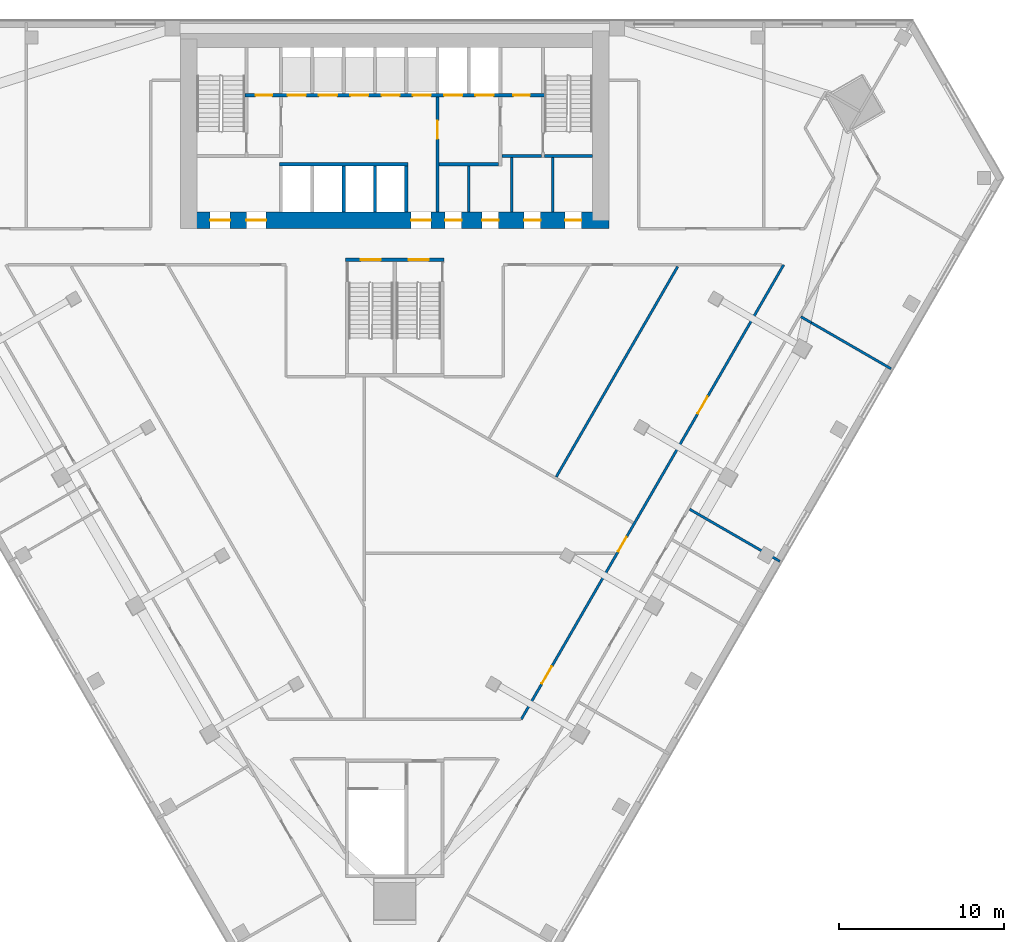
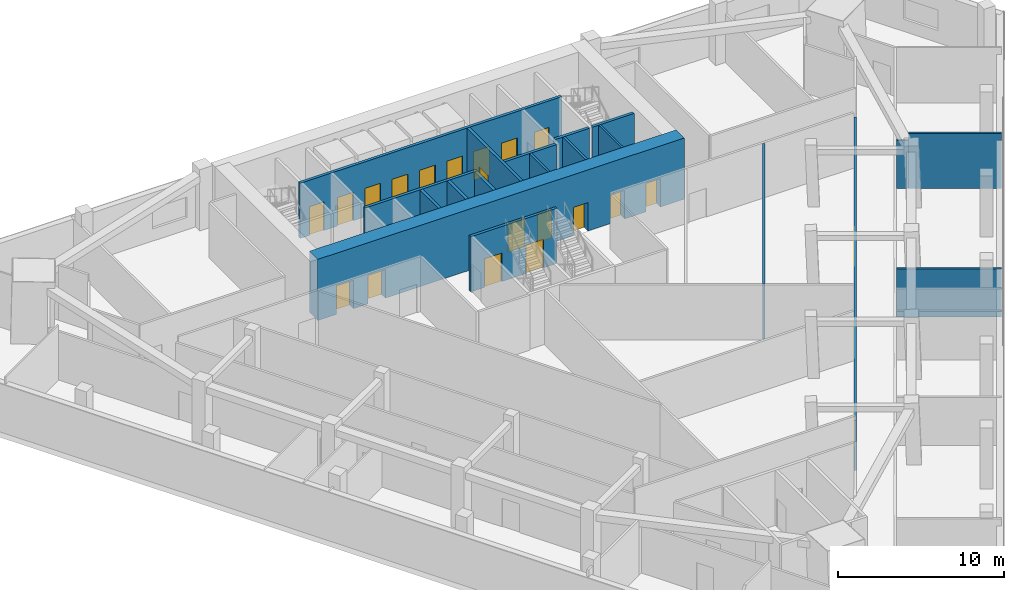
# One storey, part 5 of 9: 22 doors, 19 walls, 22 openings.
"""IFC4 building model written with IfcOpenShell, lengths in metres."""

from ifc_helpers import new_model, si_unit, direction, frame, frame_2d, origin, place, context, subcontext, project, spatial, rectangle, extrude, material, layer, layer_set, type_object, element, fill, save


model = new_model("IFC4")

# Units and contexts
model_context = context("Model", 3, precision=1e-05, world=origin(), true_north=direction((0.0, 1.0)))
body_context = subcontext(model_context, "Body", "Model", "MODEL_VIEW")
ifc_project = project(units=[si_unit("LENGTHUNIT", "METRE"), si_unit("AREAUNIT", "SQUARE_METRE"), si_unit("VOLUMEUNIT", "CUBIC_METRE"), si_unit("PLANEANGLEUNIT", "RADIAN"), si_unit("MASSUNIT", "GRAM", prefix="KILO")], contexts=[model_context])

# Site, building, storey
site_placement = place(None, origin())
site = spatial("IfcSite", under=ifc_project, at=site_placement, CompositionType="ELEMENT")
building_placement = place(site_placement, origin())
building = spatial("IfcBuilding", under=site, at=building_placement, Name="Altiplano Prism Tower", CompositionType="ELEMENT")
storey_placement = place(building_placement, frame((0.0, 0.0, 18.0)))
storey = spatial("IfcBuildingStorey", under=building, at=storey_placement, Name="L03", CompositionType="ELEMENT", Elevation=18.0)

# Wall, openings, doors
ifc_material_1 = material(Name="Concrete C70/85", Category="concrete")
ifc_layer_1 = layer(ifc_material_1, 1.0)
ifc_layer_set_1 = layer_set([ifc_layer_1], Name="Concrete C70/85")
wall_type_1 = type_object("IfcWallType", Name="Core wall 1000", PredefinedType="SHEAR", material=ifc_layer_set_1)
wall_1_placement = place(storey_placement, frame((72.5, 92.89990234375, 0.0), z_axis=(0.0, 0.0, 1.0), x_axis=(1.0, 0.0, 0.0)))
wall_1 = element("IfcWall", 1, at=wall_1_placement, inside=storey, type_object=wall_type_1, Name="Core wall S L03", PredefinedType="SHEAR", context=body_context, shape_type="SweptSolid", body=[
    extrude(rectangle(XDim=25.5, YDim=1.0, at=frame_2d((12.75, 0.0))), origin(), (0.0, 0.0, 1.0), 4.5),
])
opening_1_placement = place(wall_1_placement, frame((1.300048828125, 0.0, 0.0)))
opening_1 = element("IfcOpeningElement", 2, at=opening_1_placement, cuts=wall_1, Name="Opening D2631", PredefinedType="OPENING", context=body_context, shape_type="SweptSolid", body=[
    extrude(rectangle(XDim=1.199951171875, YDim=2.10009765625, at=frame_2d((0.60009765625, 1.050048828125))), frame((0.0, 0.510498046875, 0.0), z_axis=(0.0, -1.0, 0.0), x_axis=(1.0, 0.0, 0.0)), (0.0, 0.0, 1.0), 1.02099609375),
])
opening_2_placement = place(wall_1_placement, frame((3.5, 0.0, 0.0)))
opening_2 = element("IfcOpeningElement", 3, at=opening_2_placement, cuts=wall_1, Name="Opening D2632", PredefinedType="OPENING", context=body_context, shape_type="SweptSolid", body=[
    extrude(rectangle(XDim=1.199951171875, YDim=2.10009765625, at=frame_2d((0.60009765625, 1.050048828125))), frame((0.0, 0.510498046875, 0.0), z_axis=(0.0, -1.0, 0.0), x_axis=(1.0, 0.0, 0.0)), (0.0, 0.0, 1.0), 1.02099609375),
])
opening_3_placement = place(wall_1_placement, frame((13.5, 0.0, 0.0)))
opening_3 = element("IfcOpeningElement", 4, at=opening_3_placement, cuts=wall_1, Name="Opening D2633", PredefinedType="OPENING", context=body_context, shape_type="SweptSolid", body=[
    extrude(rectangle(XDim=1.199951171875, YDim=2.10009765625, at=frame_2d((0.60009765625, 1.050048828125))), frame((0.0, 0.510498046875, 0.0), z_axis=(0.0, -1.0, 0.0), x_axis=(1.0, 0.0, 0.0)), (0.0, 0.0, 1.0), 1.02099609375),
])
opening_4_placement = place(wall_1_placement, frame((15.5625, 0.0, 0.0)))
opening_4 = element("IfcOpeningElement", 5, at=opening_4_placement, cuts=wall_1, Name="Opening D2636", PredefinedType="OPENING", context=body_context, shape_type="SweptSolid", body=[
    extrude(rectangle(XDim=1.0, YDim=2.10009765625, at=frame_2d((0.5, 1.050048828125))), frame((0.0, 0.510498046875, 0.0), z_axis=(0.0, -1.0, 0.0), x_axis=(1.0, 0.0, 0.0)), (0.0, 0.0, 1.0), 1.02099609375),
])
opening_5_placement = place(wall_1_placement, frame((17.800048828125, 0.0, 0.0)))
opening_5 = element("IfcOpeningElement", 6, at=opening_5_placement, cuts=wall_1, Name="Opening D2637", PredefinedType="OPENING", context=body_context, shape_type="SweptSolid", body=[
    extrude(rectangle(XDim=1.0, YDim=2.10009765625, at=frame_2d((0.5, 1.050048828125))), frame((0.0, 0.510498046875, 0.0), z_axis=(0.0, -1.0, 0.0), x_axis=(1.0, 0.0, 0.0)), (0.0, 0.0, 1.0), 1.02099609375),
])
opening_6_placement = place(wall_1_placement, frame((20.35009765625, 0.0, 0.0)))
opening_6 = element("IfcOpeningElement", 7, at=opening_6_placement, cuts=wall_1, Name="Opening D2638", PredefinedType="OPENING", context=body_context, shape_type="SweptSolid", body=[
    extrude(rectangle(XDim=1.0, YDim=2.10009765625, at=frame_2d((0.5, 1.050048828125))), frame((0.0, 0.510498046875, 0.0), z_axis=(0.0, -1.0, 0.0), x_axis=(1.0, 0.0, 0.0)), (0.0, 0.0, 1.0), 1.02099609375),
])
opening_7_placement = place(wall_1_placement, frame((22.83740234375, 0.0, 0.0)))
opening_7 = element("IfcOpeningElement", 8, at=opening_7_placement, cuts=wall_1, Name="Opening D2639", PredefinedType="OPENING", context=body_context, shape_type="SweptSolid", body=[
    extrude(rectangle(XDim=1.0, YDim=2.10009765625, at=frame_2d((0.5, 1.050048828125))), frame((0.0, 0.510498046875, 0.0), z_axis=(0.0, -1.0, 0.0), x_axis=(1.0, 0.0, 0.0)), (0.0, 0.0, 1.0), 1.02099609375),
])
ifc_material_2 = material(Name="Fire-rated steel door", Category="steel")
door_type_1 = type_object("IfcDoorType", Name="Core room door 1000 x 2100", OperationType="NOTDEFINED", PredefinedType="NOTDEFINED", material=ifc_material_2)
door_1_placement = place(opening_4_placement, origin())
door_1 = element("IfcDoor", 9, at=door_1_placement, inside=storey, type_object=door_type_1, Name="Core room door D2636", OperationType="SINGLE_SWING_RIGHT", OverallHeight=2.10009765625, OverallWidth=1.0, PredefinedType="NOTDEFINED", context=body_context, shape_type="SweptSolid", body=[
    extrude(rectangle(XDim=1.0, YDim=2.10009765625, at=frame_2d((0.5, 1.050048828125))), frame((0.0, 0.02490234375, 0.0), z_axis=(0.0, -1.0, 0.0), x_axis=(1.0, 0.0, 0.0)), (0.0, 0.0, 1.0), 0.050048828125),
])
fill(opening_4, door_1)
door_2_placement = place(opening_5_placement, origin())
door_2 = element("IfcDoor", 10, at=door_2_placement, inside=storey, type_object=door_type_1, Name="Core room door D2637", OperationType="SINGLE_SWING_LEFT", OverallHeight=2.10009765625, OverallWidth=1.0, PredefinedType="NOTDEFINED", context=body_context, shape_type="SweptSolid", body=[
    extrude(rectangle(XDim=1.0, YDim=2.10009765625, at=frame_2d((0.5, 1.050048828125))), frame((0.0, 0.02490234375, 0.0), z_axis=(0.0, -1.0, 0.0), x_axis=(1.0, 0.0, 0.0)), (0.0, 0.0, 1.0), 0.050048828125),
])
fill(opening_5, door_2)
door_3_placement = place(opening_6_placement, origin())
door_3 = element("IfcDoor", 11, at=door_3_placement, inside=storey, type_object=door_type_1, Name="Core room door D2638", OperationType="SINGLE_SWING_RIGHT", OverallHeight=2.10009765625, OverallWidth=1.0, PredefinedType="NOTDEFINED", context=body_context, shape_type="SweptSolid", body=[
    extrude(rectangle(XDim=1.0, YDim=2.10009765625, at=frame_2d((0.5, 1.050048828125))), frame((0.0, 0.02490234375, 0.0), z_axis=(0.0, -1.0, 0.0), x_axis=(1.0, 0.0, 0.0)), (0.0, 0.0, 1.0), 0.050048828125),
])
fill(opening_6, door_3)
door_4_placement = place(opening_7_placement, origin())
door_4 = element("IfcDoor", 12, at=door_4_placement, inside=storey, type_object=door_type_1, Name="Core room door D2639", OperationType="SINGLE_SWING_LEFT", OverallHeight=2.10009765625, OverallWidth=1.0, PredefinedType="NOTDEFINED", context=body_context, shape_type="SweptSolid", body=[
    extrude(rectangle(XDim=1.0, YDim=2.10009765625, at=frame_2d((0.5, 1.050048828125))), frame((0.0, 0.02490234375, 0.0), z_axis=(0.0, -1.0, 0.0), x_axis=(1.0, 0.0, 0.0)), (0.0, 0.0, 1.0), 0.050048828125),
])
fill(opening_7, door_4)
door_type_2 = type_object("IfcDoorType", Name="Lobby fire door 1200 x 2100", OperationType="NOTDEFINED", PredefinedType="NOTDEFINED", material=ifc_material_2)
door_5_placement = place(opening_1_placement, origin())
door_5 = element("IfcDoor", 13, at=door_5_placement, inside=storey, type_object=door_type_2, Name="Lobby fire door D2631", OperationType="SINGLE_SWING_RIGHT", OverallHeight=2.10009765625, OverallWidth=1.199951171875, PredefinedType="NOTDEFINED", context=body_context, shape_type="SweptSolid", body=[
    extrude(rectangle(XDim=1.199951171875, YDim=2.10009765625, at=frame_2d((0.60009765625, 1.050048828125))), frame((0.0, 0.02490234375, 0.0), z_axis=(0.0, -1.0, 0.0), x_axis=(1.0, 0.0, 0.0)), (0.0, 0.0, 1.0), 0.050048828125),
])
fill(opening_1, door_5)
door_6_placement = place(opening_2_placement, origin())
door_6 = element("IfcDoor", 14, at=door_6_placement, inside=storey, type_object=door_type_2, Name="Lobby fire door D2632", OperationType="SINGLE_SWING_LEFT", OverallHeight=2.10009765625, OverallWidth=1.199951171875, PredefinedType="NOTDEFINED", context=body_context, shape_type="SweptSolid", body=[
    extrude(rectangle(XDim=1.199951171875, YDim=2.10009765625, at=frame_2d((0.60009765625, 1.050048828125))), frame((0.0, 0.02490234375, 0.0), z_axis=(0.0, -1.0, 0.0), x_axis=(1.0, 0.0, 0.0)), (0.0, 0.0, 1.0), 0.050048828125),
])
fill(opening_2, door_6)
door_7_placement = place(opening_3_placement, origin())
door_7 = element("IfcDoor", 15, at=door_7_placement, inside=storey, type_object=door_type_2, Name="Lobby fire door D2633", OperationType="SINGLE_SWING_RIGHT", OverallHeight=2.10009765625, OverallWidth=1.199951171875, PredefinedType="NOTDEFINED", context=body_context, shape_type="SweptSolid", body=[
    extrude(rectangle(XDim=1.199951171875, YDim=2.10009765625, at=frame_2d((0.60009765625, 1.050048828125))), frame((0.0, 0.02490234375, 0.0), z_axis=(0.0, -1.0, 0.0), x_axis=(1.0, 0.0, 0.0)), (0.0, 0.0, 1.0), 0.050048828125),
])
fill(opening_3, door_7)

ifc_material_3 = material(Name="Plasterboard on steel stud", Category="steel")
ifc_layer_2 = layer(ifc_material_3, 0.14990234375)
ifc_layer_set_2 = layer_set([ifc_layer_2], Name="Plasterboard on steel stud")
wall_type_2 = type_object("IfcWallType", Name="Partition 150 corridor", PredefinedType="PARTITIONING", material=ifc_layer_set_2)
wall_2_placement = place(storey_placement, frame((108.61181640625, 90.198974609375, 0.0), z_axis=(0.0, 0.0, 1.0), x_axis=(-0.499998553305, -0.866026239032, 0.0)))
wall_2 = element("IfcWall", 16, at=wall_2_placement, inside=storey, type_object=wall_type_2, Name="Partition P06 L03 020", PredefinedType="PARTITIONING", context=body_context, shape_type="SweptSolid", body=[
    extrude(rectangle(XDim=31.8671875, YDim=0.14990234375, at=frame_2d((15.93359375, 0.0))), origin(), (0.0, 0.0, 1.0), 3.64990234375),
])
opening_8_placement = place(wall_2_placement, frame((28.1640625, 0.0, 0.0)))
opening_8 = element("IfcOpeningElement", 17, at=opening_8_placement, cuts=wall_2, Name="Opening D0099", PredefinedType="OPENING", context=body_context, shape_type="SweptSolid", body=[
    extrude(rectangle(XDim=1.199951171875, YDim=2.10009765625, at=frame_2d((0.60009765625, 1.050048828125))), frame((0.0, 0.08544921875, 0.0), z_axis=(0.0, -1.0, 0.0), x_axis=(1.0, 0.0, 0.0)), (0.0, 0.0, 1.0), 0.1708984375),
])
opening_9_placement = place(wall_2_placement, frame((19.091064453125, 0.0, 0.0)))
opening_9 = element("IfcOpeningElement", 18, at=opening_9_placement, cuts=wall_2, Name="Opening D0101", PredefinedType="OPENING", context=body_context, shape_type="SweptSolid", body=[
    extrude(rectangle(XDim=1.0, YDim=2.10009765625, at=frame_2d((0.5, 1.050048828125))), frame((0.0, 0.08544921875, 0.0), z_axis=(0.0, -1.0, 0.0), x_axis=(1.0, 0.0, 0.0)), (0.0, 0.0, 1.0), 0.1708984375),
])
opening_10_placement = place(wall_2_placement, frame((9.237060546875, 0.0, 0.0)))
opening_10 = element("IfcOpeningElement", 19, at=opening_10_placement, cuts=wall_2, Name="Opening D0105", PredefinedType="OPENING", context=body_context, shape_type="SweptSolid", body=[
    extrude(rectangle(XDim=1.199951171875, YDim=2.10009765625, at=frame_2d((0.60009765625, 1.050048828125))), frame((0.0, 0.08544921875, 0.0), z_axis=(0.0, -1.0, 0.0), x_axis=(1.0, 0.0, 0.0)), (0.0, 0.0, 1.0), 0.1708984375),
])
ifc_material_4 = material(Name="Timber", Category="wood")
door_type_3 = type_object("IfcDoorType", Name="Shared room door 1200 x 2100", OperationType="NOTDEFINED", PredefinedType="NOTDEFINED", material=ifc_material_4)
door_8_placement = place(opening_8_placement, origin())
door_8 = element("IfcDoor", 20, at=door_8_placement, inside=storey, type_object=door_type_3, Name="Door D0099", OperationType="SINGLE_SWING_LEFT", OverallHeight=2.10009765625, OverallWidth=1.199951171875, PredefinedType="NOTDEFINED", context=body_context, shape_type="SweptSolid", body=[
    extrude(rectangle(XDim=1.199951171875, YDim=2.10009765625, at=frame_2d((0.60009765625, 1.050048828125))), frame((0.0, 0.02490234375, 0.0), z_axis=(0.0, -1.0, 0.0), x_axis=(1.0, 0.0, 0.0)), (0.0, 0.0, 1.0), 0.050048828125),
])
fill(opening_8, door_8)
door_9_placement = place(opening_10_placement, origin())
door_9 = element("IfcDoor", 21, at=door_9_placement, inside=storey, type_object=door_type_3, Name="Door D0105", OperationType="SINGLE_SWING_RIGHT", OverallHeight=2.10009765625, OverallWidth=1.199951171875, PredefinedType="NOTDEFINED", context=body_context, shape_type="SweptSolid", body=[
    extrude(rectangle(XDim=1.199951171875, YDim=2.10009765625, at=frame_2d((0.60009765625, 1.050048828125))), frame((0.0, 0.02490234375, 0.0), z_axis=(0.0, -1.0, 0.0), x_axis=(1.0, 0.0, 0.0)), (0.0, 0.0, 1.0), 0.050048828125),
])
fill(opening_10, door_9)
door_type_4 = type_object("IfcDoorType", Name="Store door 1000 x 2100", OperationType="NOTDEFINED", PredefinedType="NOTDEFINED", material=ifc_material_4)
door_10_placement = place(opening_9_placement, origin())
door_10 = element("IfcDoor", 22, at=door_10_placement, inside=storey, type_object=door_type_4, Name="Door D0101", OperationType="SINGLE_SWING_LEFT", OverallHeight=2.10009765625, OverallWidth=1.0, PredefinedType="NOTDEFINED", context=body_context, shape_type="SweptSolid", body=[
    extrude(rectangle(XDim=1.0, YDim=2.10009765625, at=frame_2d((0.5, 1.050048828125))), frame((0.0, 0.02490234375, 0.0), z_axis=(0.0, -1.0, 0.0), x_axis=(1.0, 0.0, 0.0)), (0.0, 0.0, 1.0), 0.050048828125),
])
fill(opening_9, door_10)

# Walls
ifc_layer_3 = layer(ifc_material_3, 0.14990234375)
ifc_layer_set_3 = layer_set([ifc_layer_3], Name="Plasterboard on steel stud")
wall_type_3 = type_object("IfcWallType", Name="Partition 150 party", PredefinedType="PARTITIONING", material=ifc_layer_set_3)
wall_3_placement = place(storey_placement, frame((108.381103515625, 72.197021484375, 0.0), z_axis=(0.0, 0.0, 1.0), x_axis=(-0.866025537322, 0.499999768706, 0.0)))
element("IfcWall", 23, at=wall_3_placement, inside=storey, type_object=wall_type_3, Name="Partition P01 L03 055", PredefinedType="PARTITIONING", context=body_context, shape_type="SweptSolid", body=[
    extrude(rectangle(XDim=6.3251953125, YDim=0.14990234375, at=frame_2d((3.16259765625, 0.0))), origin(), (0.0, 0.0, 1.0), 3.550048828125),
])
wall_4_placement = place(storey_placement, frame((115.131103515625, 83.888427734375, 0.0), z_axis=(0.0, 0.0, 1.0), x_axis=(-0.866030670444, 0.499990877767, 0.0)))
element("IfcWall", 24, at=wall_4_placement, inside=storey, type_object=wall_type_3, Name="Partition P01 L03 056", PredefinedType="PARTITIONING", context=body_context, shape_type="SweptSolid", body=[
    extrude(rectangle(XDim=5.58984375, YDim=0.14990234375, at=frame_2d((2.794921875, 0.0))), origin(), (0.0, 0.0, 1.0), 4.050048828125),
])
wall_5_placement = place(storey_placement, frame((110.2900390625, 86.683349609375, 0.0), z_axis=(0.0, 0.0, 1.0), x_axis=(-0.865986508459, 0.50006736263, 0.0)))
element("IfcWall", 25, at=wall_5_placement, inside=storey, type_object=wall_type_3, Name="Partition P01 L03 057", PredefinedType="PARTITIONING", context=body_context, shape_type="SweptSolid", body=[
    extrude(rectangle(XDim=0.7353515625, YDim=0.14990234375, at=frame_2d((0.36767578125, 0.0))), origin(), (0.0, 0.0, 1.0), 3.550048828125),
])
wall_6_placement = place(storey_placement, frame((102.174560546875, 90.08642578125, 0.0), z_axis=(0.0, 0.0, 1.0), x_axis=(-0.500006324282, -0.866021752428, 0.0)))
element("IfcWall", 26, at=wall_6_placement, inside=storey, type_object=wall_type_3, Name="Partition P01 L03 068", PredefinedType="PARTITIONING", context=body_context, shape_type="SweptSolid", body=[
    extrude(rectangle(XDim=14.740478515625, YDim=0.14990234375, at=frame_2d((7.3701171875, 0.0))), origin(), (0.0, 0.0, 1.0), 4.050048828125),
])
ifc_material_5 = material(Name="Fire-rated gypsum board partition")
ifc_layer_4 = layer(ifc_material_5, 0.14990234375)
ifc_layer_set_4 = layer_set([ifc_layer_4], Name="Fire-rated gypsum board partition")
wall_type_4 = type_object("IfcWallType", Name="Room partition 150", PredefinedType="PARTITIONING", material=ifc_layer_set_4)
wall_7_placement = place(storey_placement, frame((89.5, 93.39990234375, 0.0), z_axis=(0.0, 0.0, 1.0), x_axis=(0.0, 1.0, 0.0)))
element("IfcWall", 27, at=wall_7_placement, inside=storey, type_object=wall_type_4, Name="Room partition L03", PredefinedType="PARTITIONING", context=body_context, shape_type="SweptSolid", body=[
    extrude(rectangle(XDim=2.800048828125, YDim=0.14990234375, at=frame_2d((1.39990234375, 0.0))), origin(), (0.0, 0.0, 1.0), 4.050048828125),
])
for number, where, z_axis, x_axis, name in (
    (28, (92.10009765625, 93.39990234375, 0.0), (0.0, 0.0, 1.0), (0.0, 1.0, 0.0), "Room partition L03"),
    (29, (94.60009765625, 93.39990234375, 0.0), (0.0, 0.0, 1.0), (0.0, 1.0, 0.0), "Room partition L03"),
):
    element("IfcWall", number, at=place(storey_placement, frame(where, z_axis=z_axis, x_axis=x_axis)), inside=storey, type_object=wall_type_4, Name=name, PredefinedType="PARTITIONING", context=body_context, shape_type="SweptSolid", body=[
        extrude(rectangle(XDim=3.300048828125, YDim=0.14990234375, at=frame_2d((1.64990234375, 0.0))), origin(), (0.0, 0.0, 1.0), 4.050048828125),
    ])
ifc_material_6 = material(Name="Concrete C60/75", Category="concrete")
ifc_layer_5 = layer(ifc_material_6, 0.199951171875)
ifc_layer_set_5 = layer_set([ifc_layer_5], Name="Concrete C60/75")
wall_type_5 = type_object("IfcWallType", Name="Shaft wall 200", PredefinedType="SOLIDWALL", material=ifc_layer_set_5)
for number, where, z_axis, x_axis, name in (
    (30, (81.89990234375, 93.39990234375, 0.0), (0.0, 0.0, 1.0), (0.0, 1.0, 0.0), "Shaft wall L03"),
    (31, (83.800048828125, 93.39990234375, 0.0), (0.0, 0.0, 1.0), (0.0, 1.0, 0.0), "Shaft wall L03"),
    (32, (85.699951171875, 93.39990234375, 0.0), (0.0, 0.0, 1.0), (0.0, 1.0, 0.0), "Shaft wall L03"),
):
    element("IfcWall", number, at=place(storey_placement, frame(where, z_axis=z_axis, x_axis=x_axis)), inside=storey, type_object=wall_type_5, Name=name, PredefinedType="SOLIDWALL", context=body_context, shape_type="SweptSolid", body=[
        extrude(rectangle(XDim=2.800048828125, YDim=0.199951171875, at=frame_2d((1.39990234375, 0.0))), origin(), (0.0, 0.0, 1.0), 4.050048828125),
    ])
wall_8_placement = place(storey_placement, frame((78.0, 96.300048828125, 0.0), z_axis=(0.0, 0.0, 1.0), x_axis=(1.0, 0.0, 0.0)))
element("IfcWall", 33, at=wall_8_placement, inside=storey, type_object=wall_type_5, Name="Shaft wall L03", PredefinedType="SOLIDWALL", context=body_context, shape_type="SweptSolid", body=[
    extrude(rectangle(XDim=7.800048828125, YDim=0.199951171875, at=frame_2d((3.89990234375, 0.0))), origin(), (0.0, 0.0, 1.0), 4.050048828125),
])
ifc_layer_6 = layer(ifc_material_6, 0.199951171875)
ifc_layer_set_6 = layer_set([ifc_layer_6], Name="Concrete C60/75")
wall_type_6 = type_object("IfcWallType", Name="Stair wall 200", PredefinedType="SOLIDWALL", material=ifc_layer_set_6)
wall_9_placement = place(storey_placement, frame((94.10009765625, 96.800048828125, 0.0), z_axis=(0.0, 0.0, 1.0), x_axis=(1.0, 0.0, 0.0)))
element("IfcWall", 34, at=wall_9_placement, inside=storey, type_object=wall_type_6, Name="Stair wall L03", PredefinedType="SOLIDWALL", context=body_context, shape_type="SweptSolid", body=[
    extrude(rectangle(XDim=2.89990234375, YDim=0.199951171875, at=frame_2d((1.449951171875, 0.0))), origin(), (0.0, 0.0, 1.0), 4.050048828125),
])

# Wall, openings, doors
wall_10_placement = place(storey_placement, frame((75.89990234375, 100.5, 0.0), z_axis=(0.0, 0.0, 1.0), x_axis=(1.0, 0.0, 0.0)))
wall_10 = element("IfcWall", 35, at=wall_10_placement, inside=storey, type_object=wall_type_6, Name="Stair wall L03", PredefinedType="SOLIDWALL", context=body_context, shape_type="SweptSolid", body=[
    extrude(rectangle(XDim=18.2001953125, YDim=0.199951171875, at=frame_2d((9.10009765625, 0.0))), origin(), (0.0, 0.0, 1.0), 4.050048828125),
])
opening_11_placement = place(wall_10_placement, frame((2.60009765625, 0.0, 0.0)))
opening_11 = element("IfcOpeningElement", 36, at=opening_11_placement, cuts=wall_10, Name="Opening LD-LL1-L03", PredefinedType="OPENING", context=body_context, shape_type="SweptSolid", body=[
    extrude(rectangle(XDim=1.10009765625, YDim=2.10009765625, at=frame_2d((0.550048828125, 1.050048828125))), frame((0.0, 0.1103515625, 0.0), z_axis=(0.0, -1.0, 0.0), x_axis=(1.0, 0.0, 0.0)), (0.0, 0.0, 1.0), 0.220947265625),
])
opening_12_placement = place(wall_10_placement, frame((4.5, 0.0, 0.0)))
opening_12 = element("IfcOpeningElement", 37, at=opening_12_placement, cuts=wall_10, Name="Opening LD-LL2-L03", PredefinedType="OPENING", context=body_context, shape_type="SweptSolid", body=[
    extrude(rectangle(XDim=1.10009765625, YDim=2.10009765625, at=frame_2d((0.550048828125, 1.050048828125))), frame((0.0, 0.1103515625, 0.0), z_axis=(0.0, -1.0, 0.0), x_axis=(1.0, 0.0, 0.0)), (0.0, 0.0, 1.0), 0.220947265625),
])
opening_13_placement = place(wall_10_placement, frame((6.39990234375, 0.0, 0.0)))
opening_13 = element("IfcOpeningElement", 38, at=opening_13_placement, cuts=wall_10, Name="Opening LD-LL3-L03", PredefinedType="OPENING", context=body_context, shape_type="SweptSolid", body=[
    extrude(rectangle(XDim=1.10009765625, YDim=2.10009765625, at=frame_2d((0.550048828125, 1.050048828125))), frame((0.0, 0.1103515625, 0.0), z_axis=(0.0, -1.0, 0.0), x_axis=(1.0, 0.0, 0.0)), (0.0, 0.0, 1.0), 0.220947265625),
])
opening_14_placement = place(wall_10_placement, frame((8.300048828125, 0.0, 0.0)))
opening_14 = element("IfcOpeningElement", 39, at=opening_14_placement, cuts=wall_10, Name="Opening LD-LL4-L03", PredefinedType="OPENING", context=body_context, shape_type="SweptSolid", body=[
    extrude(rectangle(XDim=1.10009765625, YDim=2.10009765625, at=frame_2d((0.550048828125, 1.050048828125))), frame((0.0, 0.1103515625, 0.0), z_axis=(0.0, -1.0, 0.0), x_axis=(1.0, 0.0, 0.0)), (0.0, 0.0, 1.0), 0.220947265625),
])
opening_15_placement = place(wall_10_placement, frame((10.199951171875, 0.0, 0.0)))
opening_15 = element("IfcOpeningElement", 40, at=opening_15_placement, cuts=wall_10, Name="Opening LD-LL5-L03", PredefinedType="OPENING", context=body_context, shape_type="SweptSolid", body=[
    extrude(rectangle(XDim=1.10009765625, YDim=2.10009765625, at=frame_2d((0.550048828125, 1.050048828125))), frame((0.0, 0.1103515625, 0.0), z_axis=(0.0, -1.0, 0.0), x_axis=(1.0, 0.0, 0.0)), (0.0, 0.0, 1.0), 0.220947265625),
])
opening_16_placement = place(wall_10_placement, frame((12.10009765625, 0.0, 0.0)))
opening_16 = element("IfcOpeningElement", 41, at=opening_16_placement, cuts=wall_10, Name="Opening LD-FF1-L03", PredefinedType="OPENING", context=body_context, shape_type="SweptSolid", body=[
    extrude(rectangle(XDim=1.10009765625, YDim=2.10009765625, at=frame_2d((0.550048828125, 1.050048828125))), frame((0.0, 0.1103515625, 0.0), z_axis=(0.0, -1.0, 0.0), x_axis=(1.0, 0.0, 0.0)), (0.0, 0.0, 1.0), 0.220947265625),
])
opening_17_placement = place(wall_10_placement, frame((14.0, 0.0, 0.0)))
opening_17 = element("IfcOpeningElement", 42, at=opening_17_placement, cuts=wall_10, Name="Opening LD-FF2-L03", PredefinedType="OPENING", context=body_context, shape_type="SweptSolid", body=[
    extrude(rectangle(XDim=1.10009765625, YDim=2.10009765625, at=frame_2d((0.550048828125, 1.050048828125))), frame((0.0, 0.1103515625, 0.0), z_axis=(0.0, -1.0, 0.0), x_axis=(1.0, 0.0, 0.0)), (0.0, 0.0, 1.0), 0.220947265625),
])
opening_18_placement = place(wall_10_placement, frame((0.64990234375, 0.0, 0.0)))
opening_18 = element("IfcOpeningElement", 43, at=opening_18_placement, cuts=wall_10, Name="Opening D2634", PredefinedType="OPENING", context=body_context, shape_type="SweptSolid", body=[
    extrude(rectangle(XDim=1.0, YDim=2.10009765625, at=frame_2d((0.5, 1.050048828125))), frame((0.0, 0.1103515625, 0.0), z_axis=(0.0, -1.0, 0.0), x_axis=(1.0, 0.0, 0.0)), (0.0, 0.0, 1.0), 0.220947265625),
])
opening_19_placement = place(wall_10_placement, frame((16.300048828125, 0.0, 0.0)))
opening_19 = element("IfcOpeningElement", 44, at=opening_19_placement, cuts=wall_10, Name="Opening D2635", PredefinedType="OPENING", context=body_context, shape_type="SweptSolid", body=[
    extrude(rectangle(XDim=1.0, YDim=2.10009765625, at=frame_2d((0.5, 1.050048828125))), frame((0.0, 0.1103515625, 0.0), z_axis=(0.0, -1.0, 0.0), x_axis=(1.0, 0.0, 0.0)), (0.0, 0.0, 1.0), 0.220947265625),
])
door_11_placement = place(opening_18_placement, origin())
door_11 = element("IfcDoor", 45, at=door_11_placement, inside=storey, type_object=door_type_1, Name="Core room door D2634", OperationType="SINGLE_SWING_LEFT", OverallHeight=2.10009765625, OverallWidth=1.0, PredefinedType="NOTDEFINED", context=body_context, shape_type="SweptSolid", body=[
    extrude(rectangle(XDim=1.0, YDim=2.10009765625, at=frame_2d((0.5, 1.050048828125))), frame((0.0, 0.02490234375, 0.0), z_axis=(0.0, -1.0, 0.0), x_axis=(1.0, 0.0, 0.0)), (0.0, 0.0, 1.0), 0.050048828125),
])
fill(opening_18, door_11)
door_12_placement = place(opening_19_placement, origin())
door_12 = element("IfcDoor", 46, at=door_12_placement, inside=storey, type_object=door_type_1, Name="Core room door D2635", OperationType="SINGLE_SWING_RIGHT", OverallHeight=2.10009765625, OverallWidth=1.0, PredefinedType="NOTDEFINED", context=body_context, shape_type="SweptSolid", body=[
    extrude(rectangle(XDim=1.0, YDim=2.10009765625, at=frame_2d((0.5, 1.050048828125))), frame((0.0, 0.02490234375, 0.0), z_axis=(0.0, -1.0, 0.0), x_axis=(1.0, 0.0, 0.0)), (0.0, 0.0, 1.0), 0.050048828125),
])
fill(opening_19, door_12)
ifc_material_7 = material(Name="Stainless steel landing door", Category="steel")
door_type_5 = type_object("IfcDoorType", Name="Landing door 1100 x 2100", OperationType="NOTDEFINED", PredefinedType="NOTDEFINED", material=ifc_material_7)
door_13_placement = place(opening_11_placement, origin())
door_13 = element("IfcDoor", 47, at=door_13_placement, inside=storey, type_object=door_type_5, Name="Landing doors LL1", OperationType="SLIDING_TO_RIGHT", OverallHeight=2.10009765625, OverallWidth=1.10009765625, PredefinedType="NOTDEFINED", context=body_context, shape_type="SweptSolid", body=[
    extrude(rectangle(XDim=1.10009765625, YDim=2.10009765625, at=frame_2d((0.550048828125, 1.050048828125))), frame((0.0, 0.02490234375, 0.0), z_axis=(0.0, -1.0, 0.0), x_axis=(1.0, 0.0, 0.0)), (0.0, 0.0, 1.0), 0.050048828125),
])
fill(opening_11, door_13)
door_14_placement = place(opening_12_placement, origin())
door_14 = element("IfcDoor", 48, at=door_14_placement, inside=storey, type_object=door_type_5, Name="Landing doors LL2", OperationType="SLIDING_TO_LEFT", OverallHeight=2.10009765625, OverallWidth=1.10009765625, PredefinedType="NOTDEFINED", context=body_context, shape_type="SweptSolid", body=[
    extrude(rectangle(XDim=1.10009765625, YDim=2.10009765625, at=frame_2d((0.550048828125, 1.050048828125))), frame((0.0, 0.02490234375, 0.0), z_axis=(0.0, -1.0, 0.0), x_axis=(1.0, 0.0, 0.0)), (0.0, 0.0, 1.0), 0.050048828125),
])
fill(opening_12, door_14)
door_15_placement = place(opening_13_placement, origin())
door_15 = element("IfcDoor", 49, at=door_15_placement, inside=storey, type_object=door_type_5, Name="Landing doors LL3", OperationType="SLIDING_TO_RIGHT", OverallHeight=2.10009765625, OverallWidth=1.10009765625, PredefinedType="NOTDEFINED", context=body_context, shape_type="SweptSolid", body=[
    extrude(rectangle(XDim=1.10009765625, YDim=2.10009765625, at=frame_2d((0.550048828125, 1.050048828125))), frame((0.0, 0.02490234375, 0.0), z_axis=(0.0, -1.0, 0.0), x_axis=(1.0, 0.0, 0.0)), (0.0, 0.0, 1.0), 0.050048828125),
])
fill(opening_13, door_15)
door_16_placement = place(opening_14_placement, origin())
door_16 = element("IfcDoor", 50, at=door_16_placement, inside=storey, type_object=door_type_5, Name="Landing doors LL4", OperationType="SLIDING_TO_LEFT", OverallHeight=2.10009765625, OverallWidth=1.10009765625, PredefinedType="NOTDEFINED", context=body_context, shape_type="SweptSolid", body=[
    extrude(rectangle(XDim=1.10009765625, YDim=2.10009765625, at=frame_2d((0.550048828125, 1.050048828125))), frame((0.0, 0.02490234375, 0.0), z_axis=(0.0, -1.0, 0.0), x_axis=(1.0, 0.0, 0.0)), (0.0, 0.0, 1.0), 0.050048828125),
])
fill(opening_14, door_16)
door_17_placement = place(opening_15_placement, origin())
door_17 = element("IfcDoor", 51, at=door_17_placement, inside=storey, type_object=door_type_5, Name="Landing doors LL5", OperationType="SLIDING_TO_RIGHT", OverallHeight=2.10009765625, OverallWidth=1.10009765625, PredefinedType="NOTDEFINED", context=body_context, shape_type="SweptSolid", body=[
    extrude(rectangle(XDim=1.10009765625, YDim=2.10009765625, at=frame_2d((0.550048828125, 1.050048828125))), frame((0.0, 0.02490234375, 0.0), z_axis=(0.0, -1.0, 0.0), x_axis=(1.0, 0.0, 0.0)), (0.0, 0.0, 1.0), 0.050048828125),
])
fill(opening_15, door_17)
door_18_placement = place(opening_16_placement, origin())
door_18 = element("IfcDoor", 52, at=door_18_placement, inside=storey, type_object=door_type_5, Name="Landing doors FF1", OperationType="SLIDING_TO_RIGHT", OverallHeight=2.10009765625, OverallWidth=1.10009765625, PredefinedType="NOTDEFINED", context=body_context, shape_type="SweptSolid", body=[
    extrude(rectangle(XDim=1.10009765625, YDim=2.10009765625, at=frame_2d((0.550048828125, 1.050048828125))), frame((0.0, 0.02490234375, 0.0), z_axis=(0.0, -1.0, 0.0), x_axis=(1.0, 0.0, 0.0)), (0.0, 0.0, 1.0), 0.050048828125),
])
fill(opening_16, door_18)
door_19_placement = place(opening_17_placement, origin())
door_19 = element("IfcDoor", 53, at=door_19_placement, inside=storey, type_object=door_type_5, Name="Landing doors FF2", OperationType="SLIDING_TO_LEFT", OverallHeight=2.10009765625, OverallWidth=1.10009765625, PredefinedType="NOTDEFINED", context=body_context, shape_type="SweptSolid", body=[
    extrude(rectangle(XDim=1.10009765625, YDim=2.10009765625, at=frame_2d((0.550048828125, 1.050048828125))), frame((0.0, 0.02490234375, 0.0), z_axis=(0.0, -1.0, 0.0), x_axis=(1.0, 0.0, 0.0)), (0.0, 0.0, 1.0), 0.050048828125),
])
fill(opening_17, door_19)

wall_11_placement = place(storey_placement, frame((82.0, 90.5, 0.0), z_axis=(0.0, 0.0, 1.0), x_axis=(1.0, 0.0, 0.0)))
wall_11 = element("IfcWall", 54, at=wall_11_placement, inside=storey, type_object=wall_type_6, Name="Stair 3 wall north L03", PredefinedType="SOLIDWALL", context=body_context, shape_type="SweptSolid", body=[
    extrude(rectangle(XDim=6.0, YDim=0.199951171875, at=frame_2d((3.0, 0.0))), origin(), (0.0, 0.0, 1.0), 4.050048828125),
])
opening_20_placement = place(wall_11_placement, frame((0.949951171875, 0.0, 0.0)))
opening_20 = element("IfcOpeningElement", 55, at=opening_20_placement, cuts=wall_11, Name="Opening D3924", PredefinedType="OPENING", context=body_context, shape_type="SweptSolid", body=[
    extrude(rectangle(XDim=1.199951171875, YDim=2.10009765625, at=frame_2d((0.60009765625, 1.050048828125))), frame((0.0, 0.1103515625, 0.0), z_axis=(0.0, -1.0, 0.0), x_axis=(1.0, 0.0, 0.0)), (0.0, 0.0, 1.0), 0.220947265625),
])
opening_21_placement = place(wall_11_placement, frame((3.85009765625, 0.0, 0.0)))
opening_21 = element("IfcOpeningElement", 56, at=opening_21_placement, cuts=wall_11, Name="Opening D3926", PredefinedType="OPENING", context=body_context, shape_type="SweptSolid", body=[
    extrude(rectangle(XDim=1.199951171875, YDim=2.10009765625, at=frame_2d((0.60009765625, 1.050048828125))), frame((0.0, 0.1103515625, 0.0), z_axis=(0.0, -1.0, 0.0), x_axis=(1.0, 0.0, 0.0)), (0.0, 0.0, 1.0), 0.220947265625),
])
door_type_6 = type_object("IfcDoorType", Name="Stair fire door 1200 x 2100", OperationType="NOTDEFINED", PredefinedType="NOTDEFINED", material=ifc_material_2)
door_20_placement = place(opening_20_placement, origin())
door_20 = element("IfcDoor", 57, at=door_20_placement, inside=storey, type_object=door_type_6, Name="Stair fire door D3924", OperationType="SINGLE_SWING_LEFT", OverallHeight=2.10009765625, OverallWidth=1.199951171875, PredefinedType="NOTDEFINED", context=body_context, shape_type="SweptSolid", body=[
    extrude(rectangle(XDim=1.199951171875, YDim=2.10009765625, at=frame_2d((0.60009765625, 1.050048828125))), frame((0.0, 0.02490234375, 0.0), z_axis=(0.0, -1.0, 0.0), x_axis=(1.0, 0.0, 0.0)), (0.0, 0.0, 1.0), 0.050048828125),
])
fill(opening_20, door_20)
door_21_placement = place(opening_21_placement, origin())
door_21 = element("IfcDoor", 58, at=door_21_placement, inside=storey, type_object=door_type_6, Name="Stair fire door D3926", OperationType="SINGLE_SWING_LEFT", OverallHeight=2.10009765625, OverallWidth=1.199951171875, PredefinedType="NOTDEFINED", context=body_context, shape_type="SweptSolid", body=[
    extrude(rectangle(XDim=1.199951171875, YDim=2.10009765625, at=frame_2d((0.60009765625, 1.050048828125))), frame((0.0, 0.02490234375, 0.0), z_axis=(0.0, -1.0, 0.0), x_axis=(1.0, 0.0, 0.0)), (0.0, 0.0, 1.0), 0.050048828125),
])
fill(opening_21, door_21)

# Wall, opening, door
ifc_layer_7 = layer(ifc_material_6, 0.199951171875)
ifc_layer_set_7 = layer_set([ifc_layer_7], Name="Concrete C60/75")
wall_type_7 = type_object("IfcWallType", Name="Vestibule wall 200", PredefinedType="PARTITIONING", material=ifc_layer_set_7)
wall_12_placement = place(storey_placement, frame((87.60009765625, 93.39990234375, 0.0), z_axis=(0.0, 0.0, 1.0), x_axis=(0.0, 1.0, 0.0)))
wall_12 = element("IfcWall", 59, at=wall_12_placement, inside=storey, type_object=wall_type_7, Name="Vestibule wall L03", PredefinedType="PARTITIONING", context=body_context, shape_type="SweptSolid", body=[
    extrude(rectangle(XDim=7.0, YDim=0.199951171875, at=frame_2d((3.5, 0.0))), origin(), (0.0, 0.0, 1.0), 4.050048828125),
])
opening_22_placement = place(wall_12_placement, frame((4.449951171875, 0.0, 0.0)))
opening_22 = element("IfcOpeningElement", 60, at=opening_22_placement, cuts=wall_12, Name="Opening D2629", PredefinedType="OPENING", context=body_context, shape_type="SweptSolid", body=[
    extrude(rectangle(XDim=1.10009765625, YDim=2.10009765625, at=frame_2d((0.550048828125, 1.050048828125))), frame((0.0, 0.1103515625, 0.0), z_axis=(0.0, -1.0, 0.0), x_axis=(1.0, 0.0, 0.0)), (0.0, 0.0, 1.0), 0.220947265625),
])
door_type_7 = type_object("IfcDoorType", Name="Vestibule fire door 1100 x 2100", OperationType="NOTDEFINED", PredefinedType="NOTDEFINED", material=ifc_material_2)
door_22_placement = place(opening_22_placement, origin())
door_22 = element("IfcDoor", 61, at=door_22_placement, inside=storey, type_object=door_type_7, Name="Vestibule fire door D2629", OperationType="SINGLE_SWING_RIGHT", OverallHeight=2.10009765625, OverallWidth=1.10009765625, PredefinedType="NOTDEFINED", context=body_context, shape_type="SweptSolid", body=[
    extrude(rectangle(XDim=1.10009765625, YDim=2.10009765625, at=frame_2d((0.550048828125, 1.050048828125))), frame((0.0, 0.02490234375, 0.0), z_axis=(0.0, -1.0, 0.0), x_axis=(1.0, 0.0, 0.0)), (0.0, 0.0, 1.0), 0.050048828125),
])
fill(opening_22, door_22)

# Walls
wall_13_placement = place(storey_placement, frame((87.699951171875, 96.300048828125, 0.0), z_axis=(0.0, 0.0, 1.0), x_axis=(1.0, 0.0, 0.0)))
element("IfcWall", 62, at=wall_13_placement, inside=storey, type_object=wall_type_7, Name="Vestibule wall L03", PredefinedType="PARTITIONING", context=body_context, shape_type="SweptSolid", body=[
    extrude(rectangle(XDim=3.60009765625, YDim=0.199951171875, at=frame_2d((1.800048828125, 0.0))), origin(), (0.0, 0.0, 1.0), 4.050048828125),
])
wall_14_placement = place(storey_placement, frame((91.5, 96.800048828125, 0.0), z_axis=(0.0, 0.0, 1.0), x_axis=(1.0, 0.0, 0.0)))
element("IfcWall", 63, at=wall_14_placement, inside=storey, type_object=wall_type_7, Name="Vestibule wall L03", PredefinedType="PARTITIONING", context=body_context, shape_type="SweptSolid", body=[
    extrude(rectangle(XDim=2.39990234375, YDim=0.199951171875, at=frame_2d((1.199951171875, 0.0))), origin(), (0.0, 0.0, 1.0), 4.050048828125),
])

save(model, "model.ifc")
